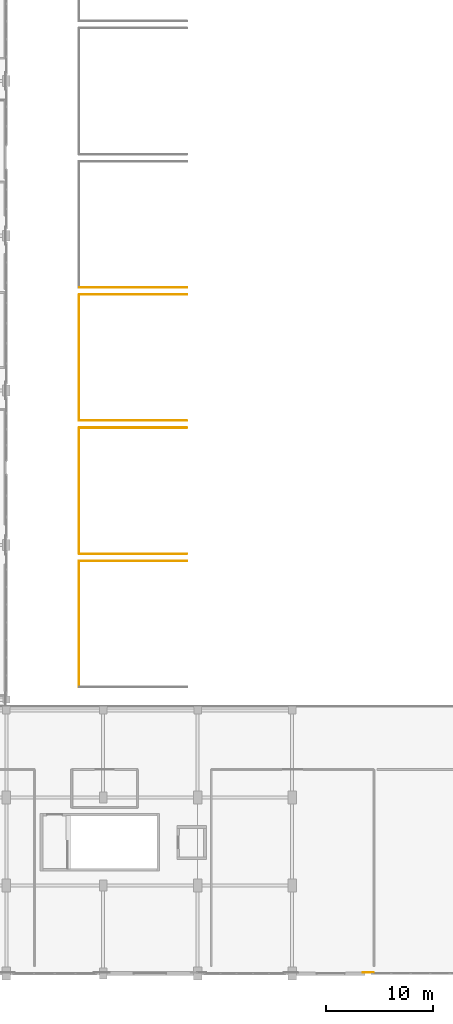
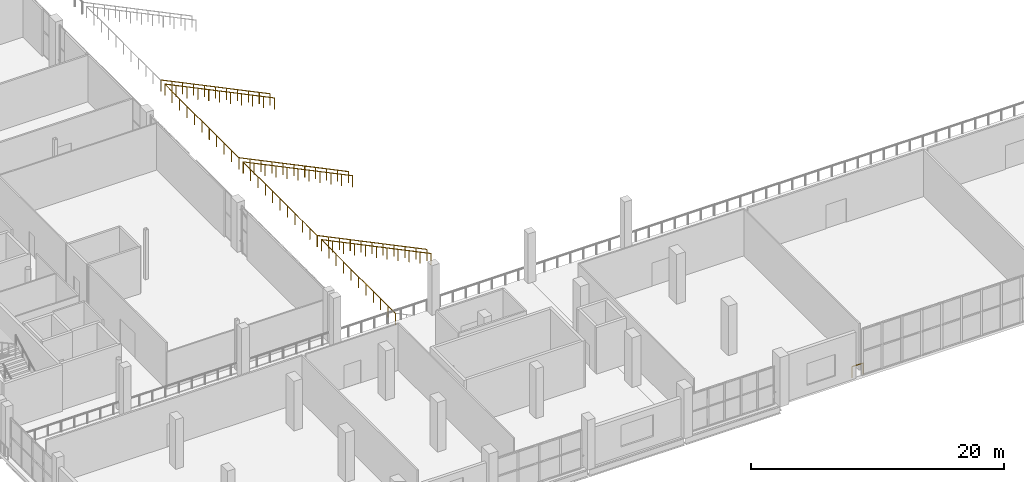
# One storey, part 83 of 104: 10 railings.
"""IFC4 building model written with IfcOpenShell, lengths in metres."""

from ifc_helpers import new_model, si_unit, direction, frame, origin, origin_2d, place, context, subcontext, project, spatial, circle, extrude, material, type_object, element, save


model = new_model("IFC4")

# Units and contexts
model_context = context("Model", 3, precision=1e-05, world=origin(), true_north=direction((0.0, 1.0)))
body_context = subcontext(model_context, "Body", "Model", "MODEL_VIEW")
ifc_project = project(units=[si_unit("LENGTHUNIT", "METRE"), si_unit("AREAUNIT", "SQUARE_METRE"), si_unit("VOLUMEUNIT", "CUBIC_METRE"), si_unit("PLANEANGLEUNIT", "RADIAN"), si_unit("MASSUNIT", "GRAM", prefix="KILO")], contexts=[model_context])

# Site, building, storey
site_placement = place(None, origin())
site = spatial("IfcSite", under=ifc_project, at=site_placement, CompositionType="ELEMENT")
building_placement = place(site_placement, origin())
building = spatial("IfcBuilding", under=site, at=building_placement, Name="Koshinbarg Plaza Stadium", CompositionType="ELEMENT")
storey_placement = place(building_placement, frame((0.0, 0.0, 19.800048828125)))
storey = spatial("IfcBuildingStorey", under=building, at=storey_placement, Name="L04", CompositionType="ELEMENT", Elevation=19.800048828125)

# Railings
ifc_material_1 = material(Name="Toughened laminated glass and stainless steel sightline balustrade", Category="steel")
railing_type_1 = type_object("IfcRailingType", Name="RL-BOWL-1100", PredefinedType="BALUSTRADE", material=ifc_material_1)
railing_1_placement = place(storey_placement, frame((88.78369140625, 0.080078125, 0.0)))
element("IfcRailing", 1, at=railing_1_placement, inside=storey, type_object=railing_type_1, Name="L04 deck edge safety balustrade 0338", PredefinedType="BALUSTRADE", context=body_context, shape_type="SweptSolid", body=[
    extrude(circle(Radius=0.02392578125, at=origin_2d()), frame((0.0, 0.0, 1.076171875), z_axis=(-1.0, 0.0, 0.0), x_axis=(0.0, -1.0, 0.0)), (0.0, 0.0, 1.0), 0.99951171875),
    extrude(circle(Radius=0.02099609375, at=origin_2d()), origin(), (0.0, 0.0, 1.0), 1.052001953125),
    extrude(circle(Radius=0.02099609375, at=origin_2d()), frame((-0.99951171875, 0.0, 0.0)), (0.0, 0.0, 1.0), 1.052001953125),
])
ifc_material_2 = material(Name="Galvanized painted steel guardrail", Category="steel")
railing_type_2 = type_object("IfcRailingType", Name="RL-GUARD-1100", PredefinedType="GUARDRAIL", material=ifc_material_2)
railing_2_placement = place(storey_placement, frame((61.3798828125, 26.679931640625, -1.739990234375)))
element("IfcRailing", 2, at=railing_2_placement, inside=storey, type_object=railing_type_2, Name="UT-W01 rear stand guard", PredefinedType="GUARDRAIL", context=body_context, shape_type="SweptSolid", body=[
    extrude(circle(Radius=0.02392578125, at=origin_2d()), frame((0.0, 0.0, 1.076171875), z_axis=(0.0, 1.0, 0.0), x_axis=(-1.0, 0.0, 0.0)), (0.0, 0.0, 1.0), 11.739990234375),
    extrude(circle(Radius=0.02099609375, at=origin_2d()), origin(), (0.0, 0.0, 1.0), 1.052001953125),
    extrude(circle(Radius=0.02099609375, at=origin_2d()), frame((0.0, 1.174072265625, 0.0)), (0.0, 0.0, 1.0), 1.052001953125),
    extrude(circle(Radius=0.02099609375, at=origin_2d()), frame((0.0, 2.347900390625, 0.0)), (0.0, 0.0, 1.0), 1.052001953125),
    extrude(circle(Radius=0.02099609375, at=origin_2d()), frame((0.0, 3.52197265625, 0.0)), (0.0, 0.0, 1.0), 1.052001953125),
    extrude(circle(Radius=0.02099609375, at=origin_2d()), frame((0.0, 4.696044921875, 0.0)), (0.0, 0.0, 1.0), 1.052001953125),
    extrude(circle(Radius=0.02099609375, at=origin_2d()), frame((0.0, 5.8701171875, 0.0)), (0.0, 0.0, 1.0), 1.052001953125),
    extrude(circle(Radius=0.02099609375, at=origin_2d()), frame((0.0, 7.0439453125, 0.0)), (0.0, 0.0, 1.0), 1.052001953125),
    extrude(circle(Radius=0.02099609375, at=origin_2d()), frame((0.0, 8.218017578125, 0.0)), (0.0, 0.0, 1.0), 1.052001953125),
    extrude(circle(Radius=0.02099609375, at=origin_2d()), frame((0.0, 9.39208984375, 0.0)), (0.0, 0.0, 1.0), 1.052001953125),
    extrude(circle(Radius=0.02099609375, at=origin_2d()), frame((0.0, 10.56591796875, 0.0)), (0.0, 0.0, 1.0), 1.052001953125),
    extrude(circle(Radius=0.02099609375, at=origin_2d()), frame((0.0, 11.739990234375, 0.0)), (0.0, 0.0, 1.0), 1.052001953125),
])
railing_3_placement = place(storey_placement, frame((71.39990234375, 38.419921875, -6.580078125)))
element("IfcRailing", 3, at=railing_3_placement, inside=storey, type_object=railing_type_2, Name="UT-W01 stepped aisle guard R", PredefinedType="GUARDRAIL", context=body_context, shape_type="SweptSolid", body=[
    extrude(circle(Radius=0.02392578125, at=origin_2d()), frame((0.0, 0.0, 1.076171875), z_axis=(-0.900110607261, 0.0, 0.435661445043), x_axis=(0.0, -1.0, 0.0)), (0.0, 0.0, 1.0), 11.10986328125),
    extrude(circle(Radius=0.02099609375, at=origin_2d()), origin(), (0.0, 0.0, 1.0), 1.052001953125),
    extrude(circle(Radius=0.02099609375, at=origin_2d()), frame((-1.0, 0.0, 0.48388671875)), (0.0, 0.0, 1.0), 1.052001953125),
    extrude(circle(Radius=0.02099609375, at=origin_2d()), frame((-2.0, 0.0, 0.968017578125)), (0.0, 0.0, 1.0), 1.052001953125),
    extrude(circle(Radius=0.02099609375, at=origin_2d()), frame((-3.0, 0.0, 1.4521484375)), (0.0, 0.0, 1.0), 1.052001953125),
    extrude(circle(Radius=0.02099609375, at=origin_2d()), frame((-4.0, 0.0, 1.93603515625)), (0.0, 0.0, 1.0), 1.052001953125),
    extrude(circle(Radius=0.02099609375, at=origin_2d()), frame((-5.0, 0.0, 2.419921875)), (0.0, 0.0, 1.0), 1.052001953125),
    extrude(circle(Radius=0.02099609375, at=origin_2d()), frame((-6.0, 0.0, 2.904052734375)), (0.0, 0.0, 1.0), 1.052001953125),
    extrude(circle(Radius=0.02099609375, at=origin_2d()), frame((-7.0, 0.0, 3.38818359375)), (0.0, 0.0, 1.0), 1.052001953125),
    extrude(circle(Radius=0.02099609375, at=origin_2d()), frame((-8.0, 0.0, 3.8720703125)), (0.0, 0.0, 1.0), 1.052001953125),
    extrude(circle(Radius=0.02099609375, at=origin_2d()), frame((-9.0, 0.0, 4.35595703125)), (0.0, 0.0, 1.0), 1.052001953125),
    extrude(circle(Radius=0.02099609375, at=origin_2d()), frame((-10.0, 0.0, 4.840087890625)), (0.0, 0.0, 1.0), 1.052001953125),
])
railing_4_placement = place(storey_placement, frame((61.3798828125, 39.080078125, -1.739990234375)))
element("IfcRailing", 4, at=railing_4_placement, inside=storey, type_object=railing_type_2, Name="UT-W02 rear stand guard", PredefinedType="GUARDRAIL", context=body_context, shape_type="SweptSolid", body=[
    extrude(circle(Radius=0.02392578125, at=origin_2d()), frame((0.0, 0.0, 1.076171875), z_axis=(0.0, 1.0, 0.0), x_axis=(-1.0, 0.0, 0.0)), (0.0, 0.0, 1.0), 11.739990234375),
    extrude(circle(Radius=0.02099609375, at=origin_2d()), origin(), (0.0, 0.0, 1.0), 1.052001953125),
    extrude(circle(Radius=0.02099609375, at=origin_2d()), frame((0.0, 1.174072265625, 0.0)), (0.0, 0.0, 1.0), 1.052001953125),
    extrude(circle(Radius=0.02099609375, at=origin_2d()), frame((0.0, 2.347900390625, 0.0)), (0.0, 0.0, 1.0), 1.052001953125),
    extrude(circle(Radius=0.02099609375, at=origin_2d()), frame((0.0, 3.52197265625, 0.0)), (0.0, 0.0, 1.0), 1.052001953125),
    extrude(circle(Radius=0.02099609375, at=origin_2d()), frame((0.0, 4.696044921875, 0.0)), (0.0, 0.0, 1.0), 1.052001953125),
    extrude(circle(Radius=0.02099609375, at=origin_2d()), frame((0.0, 5.8701171875, 0.0)), (0.0, 0.0, 1.0), 1.052001953125),
    extrude(circle(Radius=0.02099609375, at=origin_2d()), frame((0.0, 7.0439453125, 0.0)), (0.0, 0.0, 1.0), 1.052001953125),
    extrude(circle(Radius=0.02099609375, at=origin_2d()), frame((0.0, 8.218017578125, 0.0)), (0.0, 0.0, 1.0), 1.052001953125),
    extrude(circle(Radius=0.02099609375, at=origin_2d()), frame((0.0, 9.39208984375, 0.0)), (0.0, 0.0, 1.0), 1.052001953125),
    extrude(circle(Radius=0.02099609375, at=origin_2d()), frame((0.0, 10.56591796875, 0.0)), (0.0, 0.0, 1.0), 1.052001953125),
    extrude(circle(Radius=0.02099609375, at=origin_2d()), frame((0.0, 11.739990234375, 0.0)), (0.0, 0.0, 1.0), 1.052001953125),
])
for number, where, name in (
    (5, (71.39990234375, 39.080078125, -6.580078125), "UT-W02 stepped aisle guard L"),
    (6, (71.39990234375, 50.820068359375, -6.580078125), "UT-W02 stepped aisle guard R"),
):
    element("IfcRailing", number, at=place(storey_placement, frame(where)), inside=storey, type_object=railing_type_2, Name=name, PredefinedType="GUARDRAIL", context=body_context, shape_type="SweptSolid", body=[
        extrude(circle(Radius=0.02392578125, at=origin_2d()), frame((0.0, 0.0, 1.076171875), z_axis=(-0.900110607261, 0.0, 0.435661445043), x_axis=(0.0, -1.0, 0.0)), (0.0, 0.0, 1.0), 11.10986328125),
        extrude(circle(Radius=0.02099609375, at=origin_2d()), origin(), (0.0, 0.0, 1.0), 1.052001953125),
        extrude(circle(Radius=0.02099609375, at=origin_2d()), frame((-1.0, 0.0, 0.48388671875)), (0.0, 0.0, 1.0), 1.052001953125),
        extrude(circle(Radius=0.02099609375, at=origin_2d()), frame((-2.0, 0.0, 0.968017578125)), (0.0, 0.0, 1.0), 1.052001953125),
        extrude(circle(Radius=0.02099609375, at=origin_2d()), frame((-3.0, 0.0, 1.4521484375)), (0.0, 0.0, 1.0), 1.052001953125),
        extrude(circle(Radius=0.02099609375, at=origin_2d()), frame((-4.0, 0.0, 1.93603515625)), (0.0, 0.0, 1.0), 1.052001953125),
        extrude(circle(Radius=0.02099609375, at=origin_2d()), frame((-5.0, 0.0, 2.419921875)), (0.0, 0.0, 1.0), 1.052001953125),
        extrude(circle(Radius=0.02099609375, at=origin_2d()), frame((-6.0, 0.0, 2.904052734375)), (0.0, 0.0, 1.0), 1.052001953125),
        extrude(circle(Radius=0.02099609375, at=origin_2d()), frame((-7.0, 0.0, 3.38818359375)), (0.0, 0.0, 1.0), 1.052001953125),
        extrude(circle(Radius=0.02099609375, at=origin_2d()), frame((-8.0, 0.0, 3.8720703125)), (0.0, 0.0, 1.0), 1.052001953125),
        extrude(circle(Radius=0.02099609375, at=origin_2d()), frame((-9.0, 0.0, 4.35595703125)), (0.0, 0.0, 1.0), 1.052001953125),
        extrude(circle(Radius=0.02099609375, at=origin_2d()), frame((-10.0, 0.0, 4.840087890625)), (0.0, 0.0, 1.0), 1.052001953125),
    ])
railing_5_placement = place(storey_placement, frame((61.3798828125, 51.47998046875, -1.739990234375)))
element("IfcRailing", 7, at=railing_5_placement, inside=storey, type_object=railing_type_2, Name="UT-W03 rear stand guard", PredefinedType="GUARDRAIL", context=body_context, shape_type="SweptSolid", body=[
    extrude(circle(Radius=0.02392578125, at=origin_2d()), frame((0.0, 0.0, 1.076171875), z_axis=(0.0, 1.0, 0.0), x_axis=(-1.0, 0.0, 0.0)), (0.0, 0.0, 1.0), 11.739990234375),
    extrude(circle(Radius=0.02099609375, at=origin_2d()), origin(), (0.0, 0.0, 1.0), 1.052001953125),
    extrude(circle(Radius=0.02099609375, at=origin_2d()), frame((0.0, 1.174072265625, 0.0)), (0.0, 0.0, 1.0), 1.052001953125),
    extrude(circle(Radius=0.02099609375, at=origin_2d()), frame((0.0, 2.347900390625, 0.0)), (0.0, 0.0, 1.0), 1.052001953125),
    extrude(circle(Radius=0.02099609375, at=origin_2d()), frame((0.0, 3.52197265625, 0.0)), (0.0, 0.0, 1.0), 1.052001953125),
    extrude(circle(Radius=0.02099609375, at=origin_2d()), frame((0.0, 4.696044921875, 0.0)), (0.0, 0.0, 1.0), 1.052001953125),
    extrude(circle(Radius=0.02099609375, at=origin_2d()), frame((0.0, 5.8701171875, 0.0)), (0.0, 0.0, 1.0), 1.052001953125),
    extrude(circle(Radius=0.02099609375, at=origin_2d()), frame((0.0, 7.0439453125, 0.0)), (0.0, 0.0, 1.0), 1.052001953125),
    extrude(circle(Radius=0.02099609375, at=origin_2d()), frame((0.0, 8.218017578125, 0.0)), (0.0, 0.0, 1.0), 1.052001953125),
    extrude(circle(Radius=0.02099609375, at=origin_2d()), frame((0.0, 9.39208984375, 0.0)), (0.0, 0.0, 1.0), 1.052001953125),
    extrude(circle(Radius=0.02099609375, at=origin_2d()), frame((0.0, 10.56591796875, 0.0)), (0.0, 0.0, 1.0), 1.052001953125),
    extrude(circle(Radius=0.02099609375, at=origin_2d()), frame((0.0, 11.739990234375, 0.0)), (0.0, 0.0, 1.0), 1.052001953125),
])
for number, where, name in (
    (8, (71.39990234375, 51.47998046875, -6.580078125), "UT-W03 stepped aisle guard L"),
    (9, (71.39990234375, 63.219970703125, -6.580078125), "UT-W03 stepped aisle guard R"),
    (10, (71.39990234375, 63.8798828125, -6.580078125), "UT-W04 stepped aisle guard L"),
):
    element("IfcRailing", number, at=place(storey_placement, frame(where)), inside=storey, type_object=railing_type_2, Name=name, PredefinedType="GUARDRAIL", context=body_context, shape_type="SweptSolid", body=[
        extrude(circle(Radius=0.02392578125, at=origin_2d()), frame((0.0, 0.0, 1.076171875), z_axis=(-0.900110607261, 0.0, 0.435661445043), x_axis=(0.0, -1.0, 0.0)), (0.0, 0.0, 1.0), 11.10986328125),
        extrude(circle(Radius=0.02099609375, at=origin_2d()), origin(), (0.0, 0.0, 1.0), 1.052001953125),
        extrude(circle(Radius=0.02099609375, at=origin_2d()), frame((-1.0, 0.0, 0.48388671875)), (0.0, 0.0, 1.0), 1.052001953125),
        extrude(circle(Radius=0.02099609375, at=origin_2d()), frame((-2.0, 0.0, 0.968017578125)), (0.0, 0.0, 1.0), 1.052001953125),
        extrude(circle(Radius=0.02099609375, at=origin_2d()), frame((-3.0, 0.0, 1.4521484375)), (0.0, 0.0, 1.0), 1.052001953125),
        extrude(circle(Radius=0.02099609375, at=origin_2d()), frame((-4.0, 0.0, 1.93603515625)), (0.0, 0.0, 1.0), 1.052001953125),
        extrude(circle(Radius=0.02099609375, at=origin_2d()), frame((-5.0, 0.0, 2.419921875)), (0.0, 0.0, 1.0), 1.052001953125),
        extrude(circle(Radius=0.02099609375, at=origin_2d()), frame((-6.0, 0.0, 2.904052734375)), (0.0, 0.0, 1.0), 1.052001953125),
        extrude(circle(Radius=0.02099609375, at=origin_2d()), frame((-7.0, 0.0, 3.38818359375)), (0.0, 0.0, 1.0), 1.052001953125),
        extrude(circle(Radius=0.02099609375, at=origin_2d()), frame((-8.0, 0.0, 3.8720703125)), (0.0, 0.0, 1.0), 1.052001953125),
        extrude(circle(Radius=0.02099609375, at=origin_2d()), frame((-9.0, 0.0, 4.35595703125)), (0.0, 0.0, 1.0), 1.052001953125),
        extrude(circle(Radius=0.02099609375, at=origin_2d()), frame((-10.0, 0.0, 4.840087890625)), (0.0, 0.0, 1.0), 1.052001953125),
    ])

save(model, "model.ifc")
